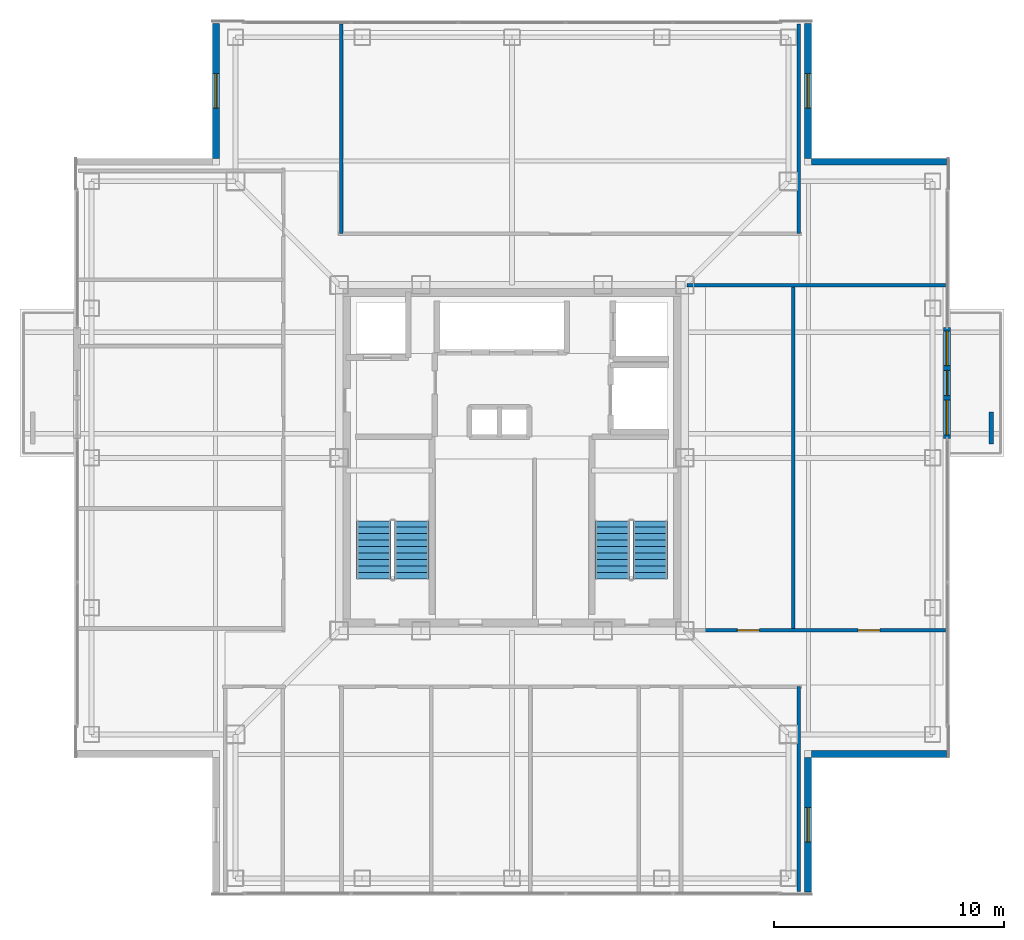
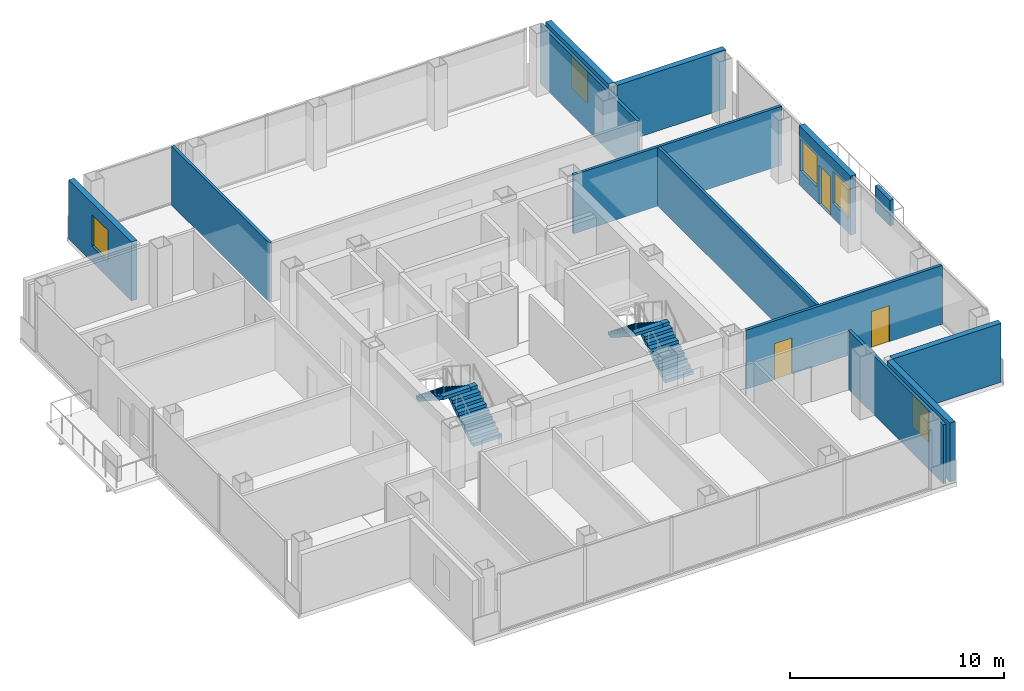
# One storey, part 10 of 13: 13 walls, 5 windows, 4 stair flights, 3 doors, 8 openings, 2 elements without a shape of their own.
"""IFC4 building model written with IfcOpenShell, lengths in metres."""

from ifc_helpers import new_model, si_unit, direction, frame, frame_2d, origin, place, context, subcontext, project, spatial, polyline, rectangle, outline, extrude, material, layer, layer_set, type_object, element, fill, aggregate, save


model = new_model("IFC4")

# Units and contexts
model_context = context("Model", 3, precision=1e-05, world=origin(), true_north=direction((0.0, 1.0)))
body_context = subcontext(model_context, "Body", "Model", "MODEL_VIEW")
ifc_project = project(units=[si_unit("LENGTHUNIT", "METRE"), si_unit("AREAUNIT", "SQUARE_METRE"), si_unit("VOLUMEUNIT", "CUBIC_METRE"), si_unit("PLANEANGLEUNIT", "RADIAN"), si_unit("MASSUNIT", "GRAM", prefix="KILO")], contexts=[model_context])

# Site, building, storey
site_placement = place(None, origin())
site = spatial("IfcSite", under=ifc_project, at=site_placement, CompositionType="ELEMENT")
building_placement = place(site_placement, origin())
building = spatial("IfcBuilding", under=site, at=building_placement, Name="Trevonay Congress Spire", CompositionType="ELEMENT")
storey_placement = place(building_placement, frame((0.0, 0.0, 286.39990234375)))
storey = spatial("IfcBuildingStorey", under=building, at=storey_placement, Name="L75", CompositionType="ELEMENT", Elevation=286.39990234375)

# Wall, openings, doors
ifc_material_1 = material(Name="Concrete C40/50", Category="concrete")
ifc_layer_1 = layer(ifc_material_1, 0.14990234375, Name="Concrete C40/50")
ifc_layer_set_1 = layer_set([ifc_layer_1], Name="Concrete C40/50")
wall_type_1 = type_object("IfcWallType", Name="WAL-CORR-150", PredefinedType="PARTITIONING", material=ifc_layer_set_1)
wall_1_placement = place(storey_placement, frame((8.280029296875, -7.47998046875, 0.0), z_axis=(0.0, 0.0, 1.0), x_axis=(1.0, 0.0, 0.0)))
wall_1 = element("IfcWall", 1, at=wall_1_placement, inside=storey, type_object=wall_type_1, Name="L75 interior wall WP-L75E-COR", PredefinedType="PARTITIONING", context=body_context, shape_type="SweptSolid", body=[
    extrude(rectangle(XDim=10.5400390625, YDim=0.14990234375, at=frame_2d((5.27001953125, 0.0))), origin(), (0.0, 0.0, 1.0), 3.360107421875),
])
opening_1_placement = place(wall_1_placement, frame((1.5048828125, 0.0, 0.0)))
opening_1 = element("IfcOpeningElement", 2, at=opening_1_placement, cuts=wall_1, Name="Opening D07", PredefinedType="OPENING", context=body_context, shape_type="SweptSolid", body=[
    extrude(rectangle(XDim=0.949951171875, YDim=2.06005859375, at=frame_2d((0.47509765625, 1.030029296875))), frame((0.0, 0.0849609375, 0.0), z_axis=(0.0, -1.0, 0.0), x_axis=(1.0, 0.0, 0.0)), (0.0, 0.0, 1.0), 0.169921875),
])
opening_2_placement = place(wall_1_placement, frame((6.735107421875, 0.0, 0.0)))
opening_2 = element("IfcOpeningElement", 3, at=opening_2_placement, cuts=wall_1, Name="Opening D07", PredefinedType="OPENING", context=body_context, shape_type="SweptSolid", body=[
    extrude(rectangle(XDim=0.949951171875, YDim=2.06005859375, at=frame_2d((0.47509765625, 1.030029296875))), frame((0.0, 0.0849609375, 0.0), z_axis=(0.0, -1.0, 0.0), x_axis=(1.0, 0.0, 0.0)), (0.0, 0.0, 1.0), 0.169921875),
])
ifc_material_2 = material(Name="Pale Anodised Aluminium EN AW-6063-T6", Category="aluminium")
door_type_1 = type_object("IfcDoorType", Name="DOR-OFFICE-95", OperationType="NOTDEFINED", PredefinedType="DOOR", material=ifc_material_2)
door_1_placement = place(opening_1_placement, origin())
door_1 = element("IfcDoor", 4, at=door_1_placement, inside=storey, type_object=door_type_1, Name="L75 Executive Study Office Door", OperationType="SINGLE_SWING_LEFT", OverallHeight=2.06005859375, OverallWidth=0.949951171875, PredefinedType="DOOR", context=body_context, shape_type="SweptSolid", body=[
    extrude(rectangle(XDim=0.949951171875, YDim=2.06005859375, at=frame_2d((0.47509765625, 1.030029296875))), frame((0.0, 0.02490234375, 0.0), z_axis=(0.0, -1.0, 0.0), x_axis=(1.0, 0.0, 0.0)), (0.0, 0.0, 1.0), 0.050048828125),
])
fill(opening_1, door_1)
door_2_placement = place(opening_2_placement, origin())
door_2 = element("IfcDoor", 5, at=door_2_placement, inside=storey, type_object=door_type_1, Name="L75 Catering Pantry Door", OperationType="SINGLE_SWING_RIGHT", OverallHeight=2.06005859375, OverallWidth=0.949951171875, PredefinedType="DOOR", context=body_context, shape_type="SweptSolid", body=[
    extrude(rectangle(XDim=0.949951171875, YDim=2.06005859375, at=frame_2d((0.47509765625, 1.030029296875))), frame((0.0, 0.02490234375, 0.0), z_axis=(0.0, -1.0, 0.0), x_axis=(1.0, 0.0, 0.0)), (0.0, 0.0, 1.0), 0.050048828125),
])
fill(opening_2, door_2)

# Wall, openings, door, windows
ifc_material_3 = material(Name="Precast concrete C40/50", Category="concrete")
ifc_layer_2 = layer(ifc_material_3, 0.300048828125, Name="Precast concrete C40/50")
ifc_layer_set_2 = layer_set([ifc_layer_2], Name="Precast concrete C40/50")
wall_type_2 = type_object("IfcWallType", Name="WAL-EXT-PRECAST-300", PredefinedType="SOLIDWALL", material=ifc_layer_set_2)
wall_2_placement = place(storey_placement, frame((18.8798828125, 0.85009765625, 0.0), z_axis=(0.0, 0.0, 1.0), x_axis=(0.0, 1.0, 0.0)))
wall_2 = element("IfcWall", 6, at=wall_2_placement, inside=storey, type_object=wall_type_2, Name="L75 E glazed balcony portal exterior wall", PredefinedType="SOLIDWALL", context=body_context, shape_type="SweptSolid", body=[
    extrude(rectangle(XDim=4.7998046875, YDim=0.300048828125, at=frame_2d((2.39990234375, 0.0))), origin(), (0.0, 0.0, 1.0), 3.360107421875),
])
opening_3_placement = place(wall_2_placement, frame((1.85009765625, 0.0, 0.0)))
opening_3 = element("IfcOpeningElement", 7, at=opening_3_placement, cuts=wall_2, Name="Opening D03", PredefinedType="OPENING", context=body_context, shape_type="SweptSolid", body=[
    extrude(rectangle(XDim=1.10009765625, YDim=2.199951171875, at=frame_2d((0.550048828125, 1.10009765625))), frame((0.0, 0.16015625, 0.0), z_axis=(0.0, -1.0, 0.0), x_axis=(1.0, 0.0, 0.0)), (0.0, 0.0, 1.0), 0.320068359375),
])
opening_4_placement = place(wall_2_placement, frame((0.14990234375, 0.0, 0.85009765625)))
opening_4 = element("IfcOpeningElement", 8, at=opening_4_placement, cuts=wall_2, Name="Opening WN03", PredefinedType="OPENING", context=body_context, shape_type="SweptSolid", body=[
    extrude(rectangle(XDim=1.5, YDim=1.800048828125, at=frame_2d((0.75, 0.89990234375))), frame((0.0, 0.16015625, 0.0), z_axis=(0.0, -1.0, 0.0), x_axis=(1.0, 0.0, 0.0)), (0.0, 0.0, 1.0), 0.320068359375),
])
opening_5_placement = place(wall_2_placement, frame((3.14990234375, 0.0, 0.85009765625)))
opening_5 = element("IfcOpeningElement", 9, at=opening_5_placement, cuts=wall_2, Name="Opening WN03", PredefinedType="OPENING", context=body_context, shape_type="SweptSolid", body=[
    extrude(rectangle(XDim=1.5, YDim=1.800048828125, at=frame_2d((0.75, 0.89990234375))), frame((0.0, 0.16015625, 0.0), z_axis=(0.0, -1.0, 0.0), x_axis=(1.0, 0.0, 0.0)), (0.0, 0.0, 1.0), 0.320068359375),
])
door_type_2 = type_object("IfcDoorType", Name="DOR-EXT-BAL-110", OperationType="NOTDEFINED", PredefinedType="DOOR", material=ifc_material_2)
door_3_placement = place(opening_3_placement, origin())
door_3 = element("IfcDoor", 10, at=door_3_placement, inside=storey, type_object=door_type_2, Name="L75 E glazed outdoor terrace and balcony door", OperationType="SINGLE_SWING_RIGHT", OverallHeight=2.199951171875, OverallWidth=1.10009765625, PredefinedType="DOOR", context=body_context, shape_type="SweptSolid", body=[
    extrude(rectangle(XDim=1.10009765625, YDim=2.199951171875, at=frame_2d((0.550048828125, 1.10009765625))), frame((0.0, 0.02490234375, 0.0), z_axis=(0.0, -1.0, 0.0), x_axis=(1.0, 0.0, 0.0)), (0.0, 0.0, 1.0), 0.050048828125),
])
fill(opening_3, door_3)
ifc_material_4 = material(Name="Insulated Low-E Vision Glass IGU", Category="glass")
window_type = type_object("IfcWindowType", Name="WIN-NOTCH-150X180", PartitioningType="SINGLE_PANEL", PredefinedType="WINDOW", material=ifc_material_4)
window_1_placement = place(opening_4_placement, origin())
window_1 = element("IfcWindow", 11, at=window_1_placement, inside=storey, type_object=window_type, Name="L75 E balcony sidelight window L", OverallHeight=1.800048828125, OverallWidth=1.5, PartitioningType="SINGLE_PANEL", PredefinedType="WINDOW", context=body_context, shape_type="SweptSolid", body=[
    extrude(rectangle(XDim=1.5, YDim=1.800048828125, at=frame_2d((0.75, 0.89990234375))), frame((0.0, 0.030029296875, 0.0), z_axis=(0.0, -1.0, 0.0), x_axis=(1.0, 0.0, 0.0)), (0.0, 0.0, 1.0), 0.06005859375),
])
fill(opening_4, window_1)
window_2_placement = place(opening_5_placement, origin())
window_2 = element("IfcWindow", 12, at=window_2_placement, inside=storey, type_object=window_type, Name="L75 E balcony sidelight window R", OverallHeight=1.800048828125, OverallWidth=1.5, PartitioningType="SINGLE_PANEL", PredefinedType="WINDOW", context=body_context, shape_type="SweptSolid", body=[
    extrude(rectangle(XDim=1.5, YDim=1.800048828125, at=frame_2d((0.75, 0.89990234375))), frame((0.0, 0.030029296875, 0.0), z_axis=(0.0, -1.0, 0.0), x_axis=(1.0, 0.0, 0.0)), (0.0, 0.0, 1.0), 0.06005859375),
])
fill(opening_5, window_2)

# Wall, opening, window
wall_3_placement = place(storey_placement, frame((12.85009765625, -18.85009765625, 0.0), z_axis=(0.0, 0.0, 1.0), x_axis=(0.0, 1.0, 0.0)))
wall_3 = element("IfcWall", 13, at=wall_3_placement, inside=storey, type_object=wall_type_2, Name="L75 SE re-entrant notch exterior wall 1", PredefinedType="SOLIDWALL", context=body_context, shape_type="SweptSolid", body=[
    extrude(rectangle(XDim=5.85009765625, YDim=0.300048828125, at=frame_2d((2.925048828125, 0.0))), origin(), (0.0, 0.0, 1.0), 3.360107421875),
])
opening_6_placement = place(wall_3_placement, frame((2.175048828125, 0.0, 0.89990234375)))
opening_6 = element("IfcOpeningElement", 14, at=opening_6_placement, cuts=wall_3, Name="Opening WN03", PredefinedType="OPENING", context=body_context, shape_type="SweptSolid", body=[
    extrude(rectangle(XDim=1.5, YDim=1.800048828125, at=frame_2d((0.75, 0.89990234375))), frame((0.0, 0.16015625, 0.0), z_axis=(0.0, -1.0, 0.0), x_axis=(1.0, 0.0, 0.0)), (0.0, 0.0, 1.0), 0.320068359375),
])
window_3_placement = place(opening_6_placement, origin())
window_3 = element("IfcWindow", 15, at=window_3_placement, inside=storey, type_object=window_type, Name="L75 SE corner notch window", OverallHeight=1.800048828125, OverallWidth=1.5, PartitioningType="SINGLE_PANEL", PredefinedType="WINDOW", context=body_context, shape_type="SweptSolid", body=[
    extrude(rectangle(XDim=1.5, YDim=1.800048828125, at=frame_2d((0.75, 0.89990234375))), frame((0.0, 0.030029296875, 0.0), z_axis=(0.0, -1.0, 0.0), x_axis=(1.0, 0.0, 0.0)), (0.0, 0.0, 1.0), 0.06005859375),
])
fill(opening_6, window_3)

# Wall
wall_4_placement = place(storey_placement, frame((18.85009765625, -12.85009765625, 0.0), z_axis=(0.0, 0.0, 1.0), x_axis=(-1.0, 0.0, 0.0)))
element("IfcWall", 16, at=wall_4_placement, inside=storey, type_object=wall_type_2, Name="L75 SE re-entrant notch exterior wall 2", PredefinedType="SOLIDWALL", context=body_context, shape_type="SweptSolid", body=[
    extrude(rectangle(XDim=5.85009765625, YDim=0.300048828125, at=frame_2d((2.925048828125, 0.0))), origin(), (0.0, 0.0, 1.0), 3.360107421875),
])

# Wall, opening, window
wall_5_placement = place(storey_placement, frame((12.85009765625, 18.85009765625, 0.0), z_axis=(0.0, 0.0, 1.0), x_axis=(0.0, -1.0, 0.0)))
wall_5 = element("IfcWall", 17, at=wall_5_placement, inside=storey, type_object=wall_type_2, Name="L75 NE re-entrant notch exterior wall 1", PredefinedType="SOLIDWALL", context=body_context, shape_type="SweptSolid", body=[
    extrude(rectangle(XDim=5.85009765625, YDim=0.300048828125, at=frame_2d((2.925048828125, 0.0))), origin(), (0.0, 0.0, 1.0), 3.360107421875),
])
opening_7_placement = place(wall_5_placement, frame((2.175048828125, 0.0, 0.89990234375)))
opening_7 = element("IfcOpeningElement", 18, at=opening_7_placement, cuts=wall_5, Name="Opening WN03", PredefinedType="OPENING", context=body_context, shape_type="SweptSolid", body=[
    extrude(rectangle(XDim=1.5, YDim=1.800048828125, at=frame_2d((0.75, 0.89990234375))), frame((0.0, 0.16015625, 0.0), z_axis=(0.0, -1.0, 0.0), x_axis=(1.0, 0.0, 0.0)), (0.0, 0.0, 1.0), 0.320068359375),
])
window_4_placement = place(opening_7_placement, origin())
window_4 = element("IfcWindow", 19, at=window_4_placement, inside=storey, type_object=window_type, Name="L75 NE corner notch window", OverallHeight=1.800048828125, OverallWidth=1.5, PartitioningType="SINGLE_PANEL", PredefinedType="WINDOW", context=body_context, shape_type="SweptSolid", body=[
    extrude(rectangle(XDim=1.5, YDim=1.800048828125, at=frame_2d((0.75, 0.89990234375))), frame((0.0, 0.030029296875, 0.0), z_axis=(0.0, -1.0, 0.0), x_axis=(1.0, 0.0, 0.0)), (0.0, 0.0, 1.0), 0.06005859375),
])
fill(opening_7, window_4)

# Wall
wall_6_placement = place(storey_placement, frame((18.85009765625, 12.85009765625, 0.0), z_axis=(0.0, 0.0, 1.0), x_axis=(-1.0, 0.0, 0.0)))
element("IfcWall", 20, at=wall_6_placement, inside=storey, type_object=wall_type_2, Name="L75 NE re-entrant notch exterior wall 2", PredefinedType="SOLIDWALL", context=body_context, shape_type="SweptSolid", body=[
    extrude(rectangle(XDim=5.85009765625, YDim=0.300048828125, at=frame_2d((2.925048828125, 0.0))), origin(), (0.0, 0.0, 1.0), 3.360107421875),
])

# Wall, opening, window
wall_7_placement = place(storey_placement, frame((-12.85009765625, 18.85009765625, 0.0), z_axis=(0.0, 0.0, 1.0), x_axis=(0.0, -1.0, 0.0)))
wall_7 = element("IfcWall", 21, at=wall_7_placement, inside=storey, type_object=wall_type_2, Name="L75 NW re-entrant notch exterior wall 1", PredefinedType="SOLIDWALL", context=body_context, shape_type="SweptSolid", body=[
    extrude(rectangle(XDim=5.85009765625, YDim=0.300048828125, at=frame_2d((2.925048828125, 0.0))), origin(), (0.0, 0.0, 1.0), 3.360107421875),
])
opening_8_placement = place(wall_7_placement, frame((2.175048828125, 0.0, 0.89990234375)))
opening_8 = element("IfcOpeningElement", 22, at=opening_8_placement, cuts=wall_7, Name="Opening WN03", PredefinedType="OPENING", context=body_context, shape_type="SweptSolid", body=[
    extrude(rectangle(XDim=1.5, YDim=1.800048828125, at=frame_2d((0.75, 0.89990234375))), frame((0.0, 0.16015625, 0.0), z_axis=(0.0, -1.0, 0.0), x_axis=(1.0, 0.0, 0.0)), (0.0, 0.0, 1.0), 0.320068359375),
])
window_5_placement = place(opening_8_placement, origin())
window_5 = element("IfcWindow", 23, at=window_5_placement, inside=storey, type_object=window_type, Name="L75 NW corner notch window", OverallHeight=1.800048828125, OverallWidth=1.5, PartitioningType="SINGLE_PANEL", PredefinedType="WINDOW", context=body_context, shape_type="SweptSolid", body=[
    extrude(rectangle(XDim=1.5, YDim=1.800048828125, at=frame_2d((0.75, 0.89990234375))), frame((0.0, 0.030029296875, 0.0), z_axis=(0.0, -1.0, 0.0), x_axis=(1.0, 0.0, 0.0)), (0.0, 0.0, 1.0), 0.06005859375),
])
fill(opening_8, window_5)

# Walls
ifc_layer_3 = layer(ifc_material_1, 0.14990234375, Name="Concrete C40/50")
ifc_layer_set_3 = layer_set([ifc_layer_3], Name="Concrete C40/50")
wall_type_3 = type_object("IfcWallType", Name="WAL-PART-150", PredefinedType="PARTITIONING", material=ifc_layer_set_3)
wall_8_placement = place(storey_placement, frame((12.449951171875, -18.820068359375, 0.0), z_axis=(0.0, 0.0, 1.0), x_axis=(0.0, 1.0, 0.0)))
element("IfcWall", 24, at=wall_8_placement, inside=storey, type_object=wall_type_3, Name="L75 interior wall WP-L75SE-DIV5", PredefinedType="PARTITIONING", context=body_context, shape_type="SweptSolid", body=[
    extrude(rectangle(XDim=8.89013671875, YDim=0.14990234375, at=frame_2d((4.445068359375, 0.0))), origin(), (0.0, 0.0, 1.0), 3.360107421875),
])
for number, where, z_axis, x_axis, name in (
    (25, (-7.39990234375, 9.72998046875, 0.0), (0.0, 0.0, 1.0), (0.0, 1.0, 0.0), "L75 interior wall WP-L75N-DIV1"),
    (26, (12.449951171875, 9.72998046875, 0.0), (0.0, 0.0, 1.0), (0.0, 1.0, 0.0), "L75 interior wall WP-L75N-DIV2"),
):
    element("IfcWall", number, at=place(storey_placement, frame(where, z_axis=z_axis, x_axis=x_axis)), inside=storey, type_object=wall_type_3, Name=name, PredefinedType="PARTITIONING", context=body_context, shape_type="SweptSolid", body=[
        extrude(rectangle(XDim=9.090087890625, YDim=0.14990234375, at=frame_2d((4.544921875, 0.0))), origin(), (0.0, 0.0, 1.0), 3.360107421875),
    ])
wall_9_placement = place(storey_placement, frame((12.199951171875, -7.47998046875, 0.0), z_axis=(0.0, 0.0, 1.0), x_axis=(0.0, 1.0, 0.0)))
element("IfcWall", 27, at=wall_9_placement, inside=storey, type_object=wall_type_3, Name="L75 interior wall WP-L75E-DIV1", PredefinedType="PARTITIONING", context=body_context, shape_type="SweptSolid", body=[
    extrude(rectangle(XDim=14.89990234375, YDim=0.14990234375, at=frame_2d((7.449951171875, 0.0))), origin(), (0.0, 0.0, 1.0), 3.360107421875),
])
wall_10_placement = place(storey_placement, frame((7.60009765625, 7.47998046875, 0.0), z_axis=(0.0, 0.0, 1.0), x_axis=(1.0, 0.0, 0.0)))
element("IfcWall", 28, at=wall_10_placement, inside=storey, type_object=wall_type_3, Name="L75 interior wall WP-L75E-NCLS", PredefinedType="PARTITIONING", context=body_context, shape_type="SweptSolid", body=[
    extrude(rectangle(XDim=11.219970703125, YDim=0.14990234375, at=frame_2d((5.60986328125, 0.0))), origin(), (0.0, 0.0, 1.0), 3.360107421875),
])
ifc_layer_4 = layer(ifc_material_3, 0.199951171875, Name="Precast concrete C40/50")
ifc_layer_set_4 = layer_set([ifc_layer_4], Name="Precast concrete C40/50")
wall_type_4 = type_object("IfcWallType", Name="WAL-TREE-PLANTER-200", PredefinedType="PARAPET", material=ifc_layer_set_4)
wall_11_placement = place(storey_placement, frame((20.800048828125, 0.60009765625, 0.0), z_axis=(0.0, 0.0, 1.0), x_axis=(0.0, 1.0, 0.0)))
element("IfcWall", 29, at=wall_11_placement, inside=storey, type_object=wall_type_4, Name="L75 E cantilevered balcony tree planter box", PredefinedType="PARAPET", context=body_context, shape_type="SweptSolid", body=[
    extrude(rectangle(XDim=1.39990234375, YDim=0.199951171875, at=frame_2d((0.699951171875, 0.0))), origin(), (0.0, 0.0, 1.0), 1.4501953125),
])

# Stair, stair flights
stair_type_1 = type_object("IfcStairType", Name="STR-ST-1", PredefinedType="HALF_TURN_STAIR", material=ifc_material_1)
stair_1_placement = place(storey_placement, origin())
stair_1 = element("IfcStair", 30, at=stair_1_placement, inside=storey, type_object=stair_type_1, Name="L75 Protected Exit Stair ST-1", PredefinedType="HALF_TURN_STAIR")
stair_flight_type_1 = type_object("IfcStairFlightType", Name="SFL-ST-1", PredefinedType="STRAIGHT", material=ifc_material_1)
stair_flight_1_placement = place(storey_placement, frame((-4.35009765625, -5.25, 0.0), z_axis=(0.0, 0.0, 1.0), x_axis=(0.0, 1.0, 0.0)))
stair_flight_1 = element("IfcStairFlight", 31, at=stair_flight_1_placement, type_object=stair_flight_type_1, Name="ST-1 flight 1", NumberOfRisers=10, NumberOfTreads=9, PredefinedType="STRAIGHT", RiserHeight=0.18, TreadLength=0.28, context=body_context, shape_type="SweptSolid", body=[
    extrude(outline(polyline([(0.0, 0.0), (0.0, 0.179931640625), (0.280029296875, 0.179931640625), (0.280029296875, 0.360107421875), (0.56005859375, 0.360107421875), (0.56005859375, 0.5400390625), (0.840087890625, 0.5400390625), (0.840087890625, 0.719970703125), (1.1201171875, 0.719970703125), (1.1201171875, 0.89990234375), (1.39990234375, 0.89990234375), (1.39990234375, 1.080078125), (1.679931640625, 1.080078125), (1.679931640625, 1.260009765625), (1.9599609375, 1.260009765625), (1.9599609375, 1.43994140625), (2.239990234375, 1.43994140625), (2.239990234375, 1.6201171875), (2.52001953125, 1.6201171875), (2.52001953125, 1.800048828125), (2.52001953125, 1.44189453125), (0.277099609375, 0.0), (0.0, 0.0)])), frame((0.0, 0.75, 0.0), z_axis=(0.0, -1.0, 0.0), x_axis=(1.0, 0.0, 0.0)), (0.0, 0.0, 1.0), 1.5),
])
stair_flight_2_placement = place(storey_placement, frame((-6.0, -2.72998046875, 1.800048828125), z_axis=(0.0, 0.0, 1.0), x_axis=(0.0, -1.0, 0.0)))
stair_flight_2 = element("IfcStairFlight", 32, at=stair_flight_2_placement, type_object=stair_flight_type_1, Name="ST-1 flight 2", NumberOfRisers=10, NumberOfTreads=9, PredefinedType="STRAIGHT", RiserHeight=0.18, TreadLength=0.28, context=body_context, shape_type="SweptSolid", body=[
    extrude(outline(polyline([(0.0, 0.0), (0.0, 0.179931640625), (0.280029296875, 0.179931640625), (0.280029296875, 0.360107421875), (0.56005859375, 0.360107421875), (0.56005859375, 0.5400390625), (0.840087890625, 0.5400390625), (0.840087890625, 0.719970703125), (1.1201171875, 0.719970703125), (1.1201171875, 0.89990234375), (1.39990234375, 0.89990234375), (1.39990234375, 1.080078125), (1.679931640625, 1.080078125), (1.679931640625, 1.260009765625), (1.9599609375, 1.260009765625), (1.9599609375, 1.43994140625), (2.239990234375, 1.43994140625), (2.239990234375, 1.6201171875), (2.52001953125, 1.6201171875), (2.52001953125, 1.800048828125), (2.52001953125, 1.44189453125), (0.277099609375, 0.0), (0.0, 0.0)])), frame((0.0, 0.75, 0.0), z_axis=(0.0, -1.0, 0.0), x_axis=(1.0, 0.0, 0.0)), (0.0, 0.0, 1.0), 1.5),
])
aggregate(stair_1, [stair_flight_1, stair_flight_2])

stair_type_2 = type_object("IfcStairType", Name="STR-ST-2", PredefinedType="HALF_TURN_STAIR", material=ifc_material_1)
stair_2_placement = place(storey_placement, origin())
stair_2 = element("IfcStair", 33, at=stair_2_placement, inside=storey, type_object=stair_type_2, Name="L75 Protected Exit Stair ST-2", PredefinedType="HALF_TURN_STAIR")
stair_flight_type_2 = type_object("IfcStairFlightType", Name="SFL-ST-2", PredefinedType="STRAIGHT", material=ifc_material_1)
stair_flight_3_placement = place(storey_placement, frame((6.0, -5.25, 0.0), z_axis=(0.0, 0.0, 1.0), x_axis=(0.0, 1.0, 0.0)))
stair_flight_3 = element("IfcStairFlight", 34, at=stair_flight_3_placement, type_object=stair_flight_type_2, Name="ST-2 flight 1", NumberOfRisers=10, NumberOfTreads=9, PredefinedType="STRAIGHT", RiserHeight=0.18, TreadLength=0.28, context=body_context, shape_type="SweptSolid", body=[
    extrude(outline(polyline([(0.0, 0.0), (0.0, 0.179931640625), (0.280029296875, 0.179931640625), (0.280029296875, 0.360107421875), (0.56005859375, 0.360107421875), (0.56005859375, 0.5400390625), (0.840087890625, 0.5400390625), (0.840087890625, 0.719970703125), (1.1201171875, 0.719970703125), (1.1201171875, 0.89990234375), (1.39990234375, 0.89990234375), (1.39990234375, 1.080078125), (1.679931640625, 1.080078125), (1.679931640625, 1.260009765625), (1.9599609375, 1.260009765625), (1.9599609375, 1.43994140625), (2.239990234375, 1.43994140625), (2.239990234375, 1.6201171875), (2.52001953125, 1.6201171875), (2.52001953125, 1.800048828125), (2.52001953125, 1.44189453125), (0.277099609375, 0.0), (0.0, 0.0)])), frame((0.0, 0.75, 0.0), z_axis=(0.0, -1.0, 0.0), x_axis=(1.0, 0.0, 0.0)), (0.0, 0.0, 1.0), 1.5),
])
stair_flight_4_placement = place(storey_placement, frame((4.35009765625, -2.72998046875, 1.800048828125), z_axis=(0.0, 0.0, 1.0), x_axis=(0.0, -1.0, 0.0)))
stair_flight_4 = element("IfcStairFlight", 35, at=stair_flight_4_placement, type_object=stair_flight_type_2, Name="ST-2 flight 2", NumberOfRisers=10, NumberOfTreads=9, PredefinedType="STRAIGHT", RiserHeight=0.18, TreadLength=0.28, context=body_context, shape_type="SweptSolid", body=[
    extrude(outline(polyline([(0.0, 0.0), (0.0, 0.179931640625), (0.280029296875, 0.179931640625), (0.280029296875, 0.360107421875), (0.56005859375, 0.360107421875), (0.56005859375, 0.5400390625), (0.840087890625, 0.5400390625), (0.840087890625, 0.719970703125), (1.1201171875, 0.719970703125), (1.1201171875, 0.89990234375), (1.39990234375, 0.89990234375), (1.39990234375, 1.080078125), (1.679931640625, 1.080078125), (1.679931640625, 1.260009765625), (1.9599609375, 1.260009765625), (1.9599609375, 1.43994140625), (2.239990234375, 1.43994140625), (2.239990234375, 1.6201171875), (2.52001953125, 1.6201171875), (2.52001953125, 1.800048828125), (2.52001953125, 1.44189453125), (0.277099609375, 0.0), (0.0, 0.0)])), frame((0.0, 0.75, 0.0), z_axis=(0.0, -1.0, 0.0), x_axis=(1.0, 0.0, 0.0)), (0.0, 0.0, 1.0), 1.5),
])
aggregate(stair_2, [stair_flight_3, stair_flight_4])

save(model, "model.ifc")
